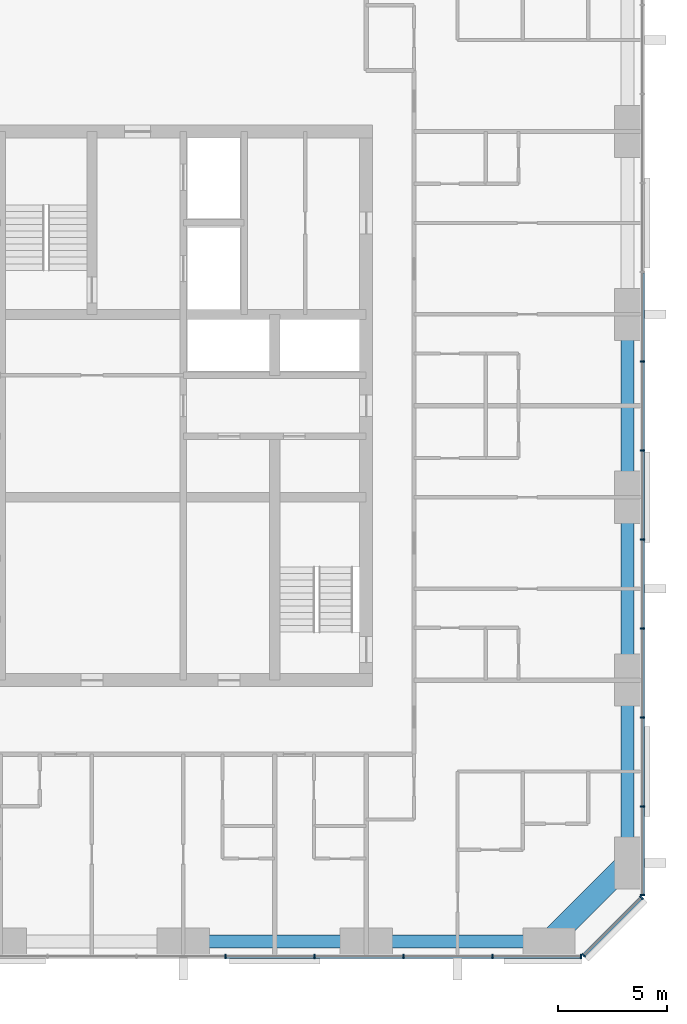
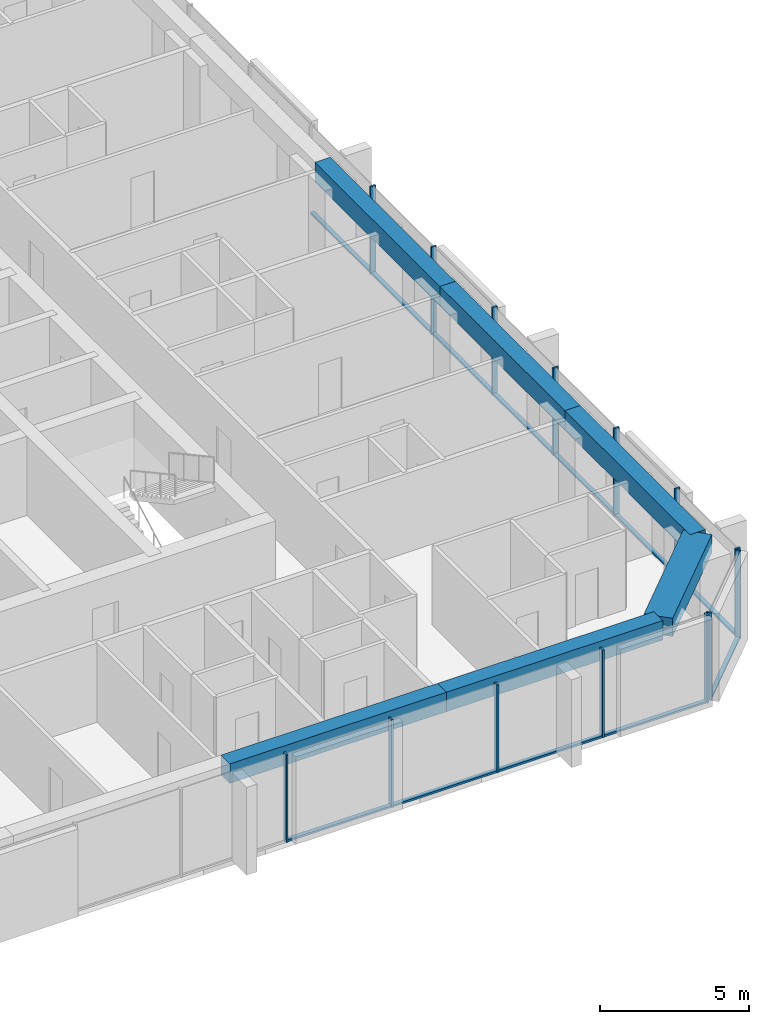
# One storey, part 4 of 14: 26 members, 6 beams, 3 elements without a shape of their own.
"""IFC4 building model written with IfcOpenShell, lengths in metres."""

from ifc_helpers import new_model, si_unit, direction, frame, origin, origin_2d, place, context, subcontext, project, spatial, rectangle, extrude, material, material_profile, profile_set, type_object, element, aggregate, save


model = new_model("IFC4")

# Units and contexts
model_context = context("Model", 3, precision=1e-05, world=origin(), true_north=direction((0.0, 1.0)))
body_context = subcontext(model_context, "Body", "Model", "MODEL_VIEW")
ifc_project = project(units=[si_unit("LENGTHUNIT", "METRE"), si_unit("AREAUNIT", "SQUARE_METRE"), si_unit("VOLUMEUNIT", "CUBIC_METRE"), si_unit("PLANEANGLEUNIT", "RADIAN"), si_unit("MASSUNIT", "GRAM", prefix="KILO")], contexts=[model_context])

# Site, building, storey
site_placement = place(None, origin())
site = spatial("IfcSite", under=ifc_project, at=site_placement, CompositionType="ELEMENT")
building_placement = place(site_placement, origin())
building = spatial("IfcBuilding", under=site, at=building_placement, Name="Dunama Terrace Hotel", CompositionType="ELEMENT")
storey_placement = place(building_placement, frame((0.0, 0.0, 198.60009765625)))
storey = spatial("IfcBuildingStorey", under=building, at=storey_placement, Name="L51", CompositionType="ELEMENT", Elevation=198.60009765625)

# Curtain wall, members
ifc_material_1 = material(Name="Aluminium curtain wall system", Category="aluminium")
curtain_wall_type = type_object("IfcCurtainWallType", Name="Unitised fritted glass wall CW-C", PredefinedType="NOTDEFINED", material=ifc_material_1)
curtain_wall_1_placement = place(storey_placement, origin())
curtain_wall_1 = element("IfcCurtainWall", 1, at=curtain_wall_1_placement, inside=storey, type_object=curtain_wall_type, Name="Unitised fritted glass wall CW-C L51", PredefinedType="NOTDEFINED")
ifc_material_2 = material(Name="Aluminium mullion", Category="aluminium")
ifc_material_profile_1 = material_profile(ifc_material_2, rectangle(XDim=0.070068359375, YDim=0.199951171875, at=origin_2d()), Name="CWC MULLION 70X200")
ifc_profile_set_1 = profile_set([ifc_material_profile_1], Name="Aluminium mullion")
member_type_1 = type_object("IfcMemberType", Name="CWC mullion 70x200", PredefinedType="MULLION", material=ifc_profile_set_1)
member_1_placement = place(storey_placement, frame((35.535888671875, 4.10009765625, 0.0), z_axis=(0.0, 0.0, 1.0), x_axis=(1.0, 0.0, 0.0)))
member_1 = element("IfcMember", 2, at=member_1_placement, type_object=member_type_1, Name="CWC mullion", PredefinedType="MULLION", context=body_context, shape_type="SweptSolid", body=[
    extrude(rectangle(XDim=0.070068359375, YDim=0.199951171875, at=origin_2d()), origin(), (0.0, 0.0, 1.0), 3.599853515625),
])
member_2_placement = place(storey_placement, frame((39.626953125, 4.10009765625, 0.0), z_axis=(0.0, 0.0, 1.0), x_axis=(1.0, 0.0, 0.0)))
member_2 = element("IfcMember", 3, at=member_2_placement, type_object=member_type_1, Name="CWC mullion", PredefinedType="MULLION", context=body_context, shape_type="SweptSolid", body=[
    extrude(rectangle(XDim=0.070068359375, YDim=0.199951171875, at=origin_2d()), origin(), (0.0, 0.0, 1.0), 3.599853515625),
])
member_3_placement = place(storey_placement, frame((43.718017578125, 4.10009765625, 0.0), z_axis=(0.0, 0.0, 1.0), x_axis=(1.0, 0.0, 0.0)))
member_3 = element("IfcMember", 4, at=member_3_placement, type_object=member_type_1, Name="CWC mullion", PredefinedType="MULLION", context=body_context, shape_type="SweptSolid", body=[
    extrude(rectangle(XDim=0.070068359375, YDim=0.199951171875, at=origin_2d()), origin(), (0.0, 0.0, 1.0), 3.599853515625),
])
member_4_placement = place(storey_placement, frame((47.80908203125, 4.10009765625, 0.0), z_axis=(0.0, 0.0, 1.0), x_axis=(1.0, 0.0, 0.0)))
member_4 = element("IfcMember", 5, at=member_4_placement, type_object=member_type_1, Name="CWC mullion", PredefinedType="MULLION", context=body_context, shape_type="SweptSolid", body=[
    extrude(rectangle(XDim=0.070068359375, YDim=0.199951171875, at=origin_2d()), origin(), (0.0, 0.0, 1.0), 3.599853515625),
])
member_5_placement = place(storey_placement, frame((51.864990234375, 4.10009765625, 0.0), z_axis=(0.0, 0.0, 1.0), x_axis=(1.0, 0.0, 0.0)))
member_5 = element("IfcMember", 6, at=member_5_placement, type_object=member_type_1, Name="CWC mullion", PredefinedType="MULLION", context=body_context, shape_type="SweptSolid", body=[
    extrude(rectangle(XDim=0.070068359375, YDim=0.199951171875, at=origin_2d()), origin(), (0.0, 0.0, 1.0), 3.599853515625),
])

curtain_wall_2_placement = place(storey_placement, origin())
curtain_wall_2 = element("IfcCurtainWall", 7, at=curtain_wall_2_placement, inside=storey, type_object=curtain_wall_type, Name="Unitised fritted glass wall CW-C L51", PredefinedType="NOTDEFINED")
member_6_placement = place(storey_placement, frame((51.9951171875, 4.154052734375, 0.0), z_axis=(0.0, 0.0, 1.0), x_axis=(0.707106781187, 0.707106781187, 0.0)))
member_6 = element("IfcMember", 8, at=member_6_placement, type_object=member_type_1, Name="CWC mullion", PredefinedType="MULLION", context=body_context, shape_type="SweptSolid", body=[
    extrude(rectangle(XDim=0.070068359375, YDim=0.199951171875, at=origin_2d()), origin(), (0.0, 0.0, 1.0), 3.599853515625),
])
member_7_placement = place(storey_placement, frame((54.64599609375, 6.804931640625, 0.0), z_axis=(0.0, 0.0, 1.0), x_axis=(0.707106781187, 0.707106781187, 0.0)))
member_7 = element("IfcMember", 9, at=member_7_placement, type_object=member_type_1, Name="CWC mullion", PredefinedType="MULLION", context=body_context, shape_type="SweptSolid", body=[
    extrude(rectangle(XDim=0.070068359375, YDim=0.199951171875, at=origin_2d()), origin(), (0.0, 0.0, 1.0), 3.599853515625),
])

curtain_wall_3_placement = place(storey_placement, origin())
curtain_wall_3 = element("IfcCurtainWall", 10, at=curtain_wall_3_placement, inside=storey, type_object=curtain_wall_type, Name="Unitised fritted glass wall CW-C L51", PredefinedType="NOTDEFINED")
member_8_placement = place(storey_placement, frame((54.699951171875, 6.93505859375, 0.0), z_axis=(0.0, 0.0, 1.0), x_axis=(0.0, 1.0, 0.0)))
member_8 = element("IfcMember", 11, at=member_8_placement, type_object=member_type_1, Name="CWC mullion", PredefinedType="MULLION", context=body_context, shape_type="SweptSolid", body=[
    extrude(rectangle(XDim=0.070068359375, YDim=0.199951171875, at=origin_2d()), origin(), (0.0, 0.0, 1.0), 3.599853515625),
])
member_9_placement = place(storey_placement, frame((54.699951171875, 10.990966796875, 0.0), z_axis=(0.0, 0.0, 1.0), x_axis=(0.0, 1.0, 0.0)))
member_9 = element("IfcMember", 12, at=member_9_placement, type_object=member_type_1, Name="CWC mullion", PredefinedType="MULLION", context=body_context, shape_type="SweptSolid", body=[
    extrude(rectangle(XDim=0.070068359375, YDim=0.199951171875, at=origin_2d()), origin(), (0.0, 0.0, 1.0), 3.599853515625),
])
member_10_placement = place(storey_placement, frame((54.699951171875, 15.08203125, 0.0), z_axis=(0.0, 0.0, 1.0), x_axis=(0.0, 1.0, 0.0)))
member_10 = element("IfcMember", 13, at=member_10_placement, type_object=member_type_1, Name="CWC mullion", PredefinedType="MULLION", context=body_context, shape_type="SweptSolid", body=[
    extrude(rectangle(XDim=0.070068359375, YDim=0.199951171875, at=origin_2d()), origin(), (0.0, 0.0, 1.0), 3.599853515625),
])
member_11_placement = place(storey_placement, frame((54.699951171875, 19.173095703125, 0.0), z_axis=(0.0, 0.0, 1.0), x_axis=(0.0, 1.0, 0.0)))
member_11 = element("IfcMember", 14, at=member_11_placement, type_object=member_type_1, Name="CWC mullion", PredefinedType="MULLION", context=body_context, shape_type="SweptSolid", body=[
    extrude(rectangle(XDim=0.070068359375, YDim=0.199951171875, at=origin_2d()), origin(), (0.0, 0.0, 1.0), 3.599853515625),
])
member_12_placement = place(storey_placement, frame((54.699951171875, 23.263916015625, 0.0), z_axis=(0.0, 0.0, 1.0), x_axis=(0.0, 1.0, 0.0)))
member_12 = element("IfcMember", 15, at=member_12_placement, type_object=member_type_1, Name="CWC mullion", PredefinedType="MULLION", context=body_context, shape_type="SweptSolid", body=[
    extrude(rectangle(XDim=0.070068359375, YDim=0.199951171875, at=origin_2d()), origin(), (0.0, 0.0, 1.0), 3.599853515625),
])
member_13_placement = place(storey_placement, frame((54.699951171875, 27.35498046875, 0.0), z_axis=(0.0, 0.0, 1.0), x_axis=(0.0, 1.0, 0.0)))
member_13 = element("IfcMember", 16, at=member_13_placement, type_object=member_type_1, Name="CWC mullion", PredefinedType="MULLION", context=body_context, shape_type="SweptSolid", body=[
    extrude(rectangle(XDim=0.070068359375, YDim=0.199951171875, at=origin_2d()), origin(), (0.0, 0.0, 1.0), 3.599853515625),
])
member_14_placement = place(storey_placement, frame((54.699951171875, 31.445068359375, 0.0), z_axis=(0.0, 0.0, 1.0), x_axis=(0.0, 1.0, 0.0)))
member_14 = element("IfcMember", 17, at=member_14_placement, type_object=member_type_1, Name="CWC mullion", PredefinedType="MULLION", context=body_context, shape_type="SweptSolid", body=[
    extrude(rectangle(XDim=0.070068359375, YDim=0.199951171875, at=origin_2d()), origin(), (0.0, 0.0, 1.0), 3.599853515625),
])

# Member
ifc_material_3 = material(Name="Aluminium transom", Category="aluminium")
ifc_material_profile_2 = material_profile(ifc_material_3, rectangle(XDim=0.159912109375, YDim=0.080078125, at=origin_2d()), Name="CWC TRANSOM 160X80")
ifc_profile_set_2 = profile_set([ifc_material_profile_2], Name="Aluminium transom")
member_type_2 = type_object("IfcMemberType", Name="CWC transom 160x80", PredefinedType="USERDEFINED", material=ifc_profile_set_2)
member_15_placement = place(storey_placement, frame((35.571044921875, 4.10009765625, 0.039794921875), z_axis=(1.0, 0.0, 0.0), x_axis=(0.0, 1.0, 0.0)))
member_15 = element("IfcMember", 18, at=member_15_placement, type_object=member_type_2, Name="CWC transom", ObjectType="TRANSOM", PredefinedType="USERDEFINED", context=body_context, shape_type="SweptSolid", body=[
    extrude(rectangle(XDim=0.159912109375, YDim=0.080078125, at=origin_2d()), origin(), (0.0, 0.0, 1.0), 4.02099609375),
])

member_16_placement = place(storey_placement, frame((39.662109375, 4.10009765625, 0.039794921875), z_axis=(1.0, 0.0, 0.0), x_axis=(0.0, 1.0, 0.0)))
member_16 = element("IfcMember", 19, at=member_16_placement, type_object=member_type_2, Name="CWC transom", ObjectType="TRANSOM", PredefinedType="USERDEFINED", context=body_context, shape_type="SweptSolid", body=[
    extrude(rectangle(XDim=0.159912109375, YDim=0.080078125, at=origin_2d()), origin(), (0.0, 0.0, 1.0), 4.02099609375),
])

member_17_placement = place(storey_placement, frame((43.7529296875, 4.10009765625, 0.039794921875), z_axis=(1.0, 0.0, 0.0), x_axis=(0.0, 1.0, 0.0)))
member_17 = element("IfcMember", 20, at=member_17_placement, type_object=member_type_2, Name="CWC transom", ObjectType="TRANSOM", PredefinedType="USERDEFINED", context=body_context, shape_type="SweptSolid", body=[
    extrude(rectangle(XDim=0.159912109375, YDim=0.080078125, at=origin_2d()), origin(), (0.0, 0.0, 1.0), 4.02099609375),
])

member_18_placement = place(storey_placement, frame((47.843994140625, 4.10009765625, 0.039794921875), z_axis=(1.0, 0.0, 0.0), x_axis=(0.0, 1.0, 0.0)))
member_18 = element("IfcMember", 21, at=member_18_placement, type_object=member_type_2, Name="CWC transom", ObjectType="TRANSOM", PredefinedType="USERDEFINED", context=body_context, shape_type="SweptSolid", body=[
    extrude(rectangle(XDim=0.159912109375, YDim=0.080078125, at=origin_2d()), origin(), (0.0, 0.0, 1.0), 3.986083984375),
])

aggregate(curtain_wall_1, [member_1, member_2, member_3, member_4, member_5, member_15, member_16, member_17, member_18])

member_19_placement = place(storey_placement, frame((52.02001953125, 4.178955078125, 0.039794921875), z_axis=(0.707106781187, 0.707106781187, 0.0), x_axis=(-0.707106781187, 0.707106781187, 0.0)))
member_19 = element("IfcMember", 22, at=member_19_placement, type_object=member_type_2, Name="CWC transom", ObjectType="TRANSOM", PredefinedType="USERDEFINED", context=body_context, shape_type="SweptSolid", body=[
    extrude(rectangle(XDim=0.159912109375, YDim=0.080078125, at=origin_2d()), origin(), (0.0, 0.0, 1.0), 3.678466796875),
])

aggregate(curtain_wall_2, [member_6, member_7, member_19])

member_20_placement = place(storey_placement, frame((54.699951171875, 6.969970703125, 0.039794921875), z_axis=(0.0, 1.0, 0.0), x_axis=(-1.0, 0.0, 0.0)))
member_20 = element("IfcMember", 23, at=member_20_placement, type_object=member_type_2, Name="CWC transom", ObjectType="TRANSOM", PredefinedType="USERDEFINED", context=body_context, shape_type="SweptSolid", body=[
    extrude(rectangle(XDim=0.159912109375, YDim=0.080078125, at=origin_2d()), origin(), (0.0, 0.0, 1.0), 3.986083984375),
])

member_21_placement = place(storey_placement, frame((54.699951171875, 11.02587890625, 0.039794921875), z_axis=(0.0, 1.0, 0.0), x_axis=(-1.0, 0.0, 0.0)))
member_21 = element("IfcMember", 24, at=member_21_placement, type_object=member_type_2, Name="CWC transom", ObjectType="TRANSOM", PredefinedType="USERDEFINED", context=body_context, shape_type="SweptSolid", body=[
    extrude(rectangle(XDim=0.159912109375, YDim=0.080078125, at=origin_2d()), origin(), (0.0, 0.0, 1.0), 4.021240234375),
])

member_22_placement = place(storey_placement, frame((54.699951171875, 15.116943359375, 0.039794921875), z_axis=(0.0, 1.0, 0.0), x_axis=(-1.0, 0.0, 0.0)))
member_22 = element("IfcMember", 25, at=member_22_placement, type_object=member_type_2, Name="CWC transom", ObjectType="TRANSOM", PredefinedType="USERDEFINED", context=body_context, shape_type="SweptSolid", body=[
    extrude(rectangle(XDim=0.159912109375, YDim=0.080078125, at=origin_2d()), origin(), (0.0, 0.0, 1.0), 4.02099609375),
])

member_23_placement = place(storey_placement, frame((54.699951171875, 19.2080078125, 0.039794921875), z_axis=(0.0, 1.0, 0.0), x_axis=(-1.0, 0.0, 0.0)))
member_23 = element("IfcMember", 26, at=member_23_placement, type_object=member_type_2, Name="CWC transom", ObjectType="TRANSOM", PredefinedType="USERDEFINED", context=body_context, shape_type="SweptSolid", body=[
    extrude(rectangle(XDim=0.159912109375, YDim=0.080078125, at=origin_2d()), origin(), (0.0, 0.0, 1.0), 4.02099609375),
])

member_24_placement = place(storey_placement, frame((54.699951171875, 23.299072265625, 0.039794921875), z_axis=(0.0, 1.0, 0.0), x_axis=(-1.0, 0.0, 0.0)))
member_24 = element("IfcMember", 27, at=member_24_placement, type_object=member_type_2, Name="CWC transom", ObjectType="TRANSOM", PredefinedType="USERDEFINED", context=body_context, shape_type="SweptSolid", body=[
    extrude(rectangle(XDim=0.159912109375, YDim=0.080078125, at=origin_2d()), origin(), (0.0, 0.0, 1.0), 4.02099609375),
])

member_25_placement = place(storey_placement, frame((54.699951171875, 27.389892578125, 0.039794921875), z_axis=(0.0, 1.0, 0.0), x_axis=(-1.0, 0.0, 0.0)))
member_25 = element("IfcMember", 28, at=member_25_placement, type_object=member_type_2, Name="CWC transom", ObjectType="TRANSOM", PredefinedType="USERDEFINED", context=body_context, shape_type="SweptSolid", body=[
    extrude(rectangle(XDim=0.159912109375, YDim=0.080078125, at=origin_2d()), origin(), (0.0, 0.0, 1.0), 4.02001953125),
])

member_26_placement = place(storey_placement, frame((54.699951171875, 31.47998046875, 0.039794921875), z_axis=(0.0, 1.0, 0.0), x_axis=(-1.0, 0.0, 0.0)))
member_26 = element("IfcMember", 29, at=member_26_placement, type_object=member_type_2, Name="CWC transom", ObjectType="TRANSOM", PredefinedType="USERDEFINED", context=body_context, shape_type="SweptSolid", body=[
    extrude(rectangle(XDim=0.159912109375, YDim=0.080078125, at=origin_2d()), origin(), (0.0, 0.0, 1.0), 4.02099609375),
])

aggregate(curtain_wall_3, [member_8, member_9, member_10, member_11, member_12, member_13, member_14, member_20, member_21, member_22, member_23, member_24, member_25, member_26])

# Beams
ifc_material_4 = material(Name="Concrete C50/60", Category="concrete")
ifc_material_profile_3 = material_profile(ifc_material_4, rectangle(XDim=1.0, YDim=0.75, at=origin_2d()), Name="RC 1000x750")
ifc_profile_set_3 = profile_set([ifc_material_profile_3], Name="Concrete C50/60")
beam_type_1 = type_object("IfcBeamType", Name="Edge beam RC 1000x750", PredefinedType="SPANDREL", material=ifc_profile_set_3)
beam_1_placement = place(storey_placement, frame((50.39990234375, 4.800048828125, 3.224853515625), z_axis=(0.707130757816, 0.707082803744, 0.0), x_axis=(-0.707082803744, 0.707130757816, 0.0)))
element("IfcBeam", 30, at=beam_1_placement, inside=storey, type_object=beam_type_1, Name="Corner edge beam under L52", PredefinedType="SPANDREL", context=body_context, shape_type="SweptSolid", body=[
    extrude(rectangle(XDim=1.0, YDim=0.75, at=origin_2d()), origin(), (0.0, 0.0, 1.0), 5.091064453125),
])
ifc_material_5 = material(Name="Concrete C40/50", Category="concrete")
ifc_material_profile_4 = material_profile(ifc_material_5, rectangle(XDim=0.60009765625, YDim=0.800048828125, at=origin_2d()), Name="RC 600x800")
ifc_profile_set_4 = profile_set([ifc_material_profile_4], Name="Concrete C40/50")
beam_type_2 = type_object("IfcBeamType", Name="Edge beam RC 600x800", PredefinedType="SPANDREL", material=ifc_profile_set_4)
beam_2_placement = place(storey_placement, frame((54.0, 8.39990234375, 3.199951171875), z_axis=(0.0, 1.0, 0.0), x_axis=(-1.0, 0.0, 0.0)))
element("IfcBeam", 31, at=beam_2_placement, inside=storey, type_object=beam_type_2, Name="Edge beam under L52", PredefinedType="SPANDREL", context=body_context, shape_type="SweptSolid", body=[
    extrude(rectangle(XDim=0.60009765625, YDim=0.800048828125, at=origin_2d()), origin(), (0.0, 0.0, 1.0), 8.400146484375),
])
beam_3_placement = place(storey_placement, frame((54.0, 16.800048828125, 3.199951171875), z_axis=(0.0, 1.0, 0.0), x_axis=(-1.0, 0.0, 0.0)))
element("IfcBeam", 32, at=beam_3_placement, inside=storey, type_object=beam_type_2, Name="Edge beam under L52", PredefinedType="SPANDREL", context=body_context, shape_type="SweptSolid", body=[
    extrude(rectangle(XDim=0.60009765625, YDim=0.800048828125, at=origin_2d()), origin(), (0.0, 0.0, 1.0), 8.39990234375),
])
beam_4_placement = place(storey_placement, frame((54.0, 25.199951171875, 3.199951171875), z_axis=(0.0, 1.0, 0.0), x_axis=(-1.0, 0.0, 0.0)))
element("IfcBeam", 33, at=beam_4_placement, inside=storey, type_object=beam_type_2, Name="Edge beam under L52", PredefinedType="SPANDREL", context=body_context, shape_type="SweptSolid", body=[
    extrude(rectangle(XDim=0.60009765625, YDim=0.800048828125, at=origin_2d()), origin(), (0.0, 0.0, 1.0), 8.400146484375),
])
for number, where, z_axis, x_axis, name in (
    (34, (33.60009765625, 4.800048828125, 3.199951171875), (1.0, 0.0, 0.0), (0.0, 1.0, 0.0), "Edge beam under L52"),
    (35, (42.0, 4.800048828125, 3.199951171875), (1.0, 0.0, 0.0), (0.0, 1.0, 0.0), "Edge beam under L52"),
):
    element("IfcBeam", number, at=place(storey_placement, frame(where, z_axis=z_axis, x_axis=x_axis)), inside=storey, type_object=beam_type_2, Name=name, PredefinedType="SPANDREL", context=body_context, shape_type="SweptSolid", body=[
        extrude(rectangle(XDim=0.60009765625, YDim=0.800048828125, at=origin_2d()), origin(), (0.0, 0.0, 1.0), 8.39990234375),
    ])

save(model, "model.ifc")
